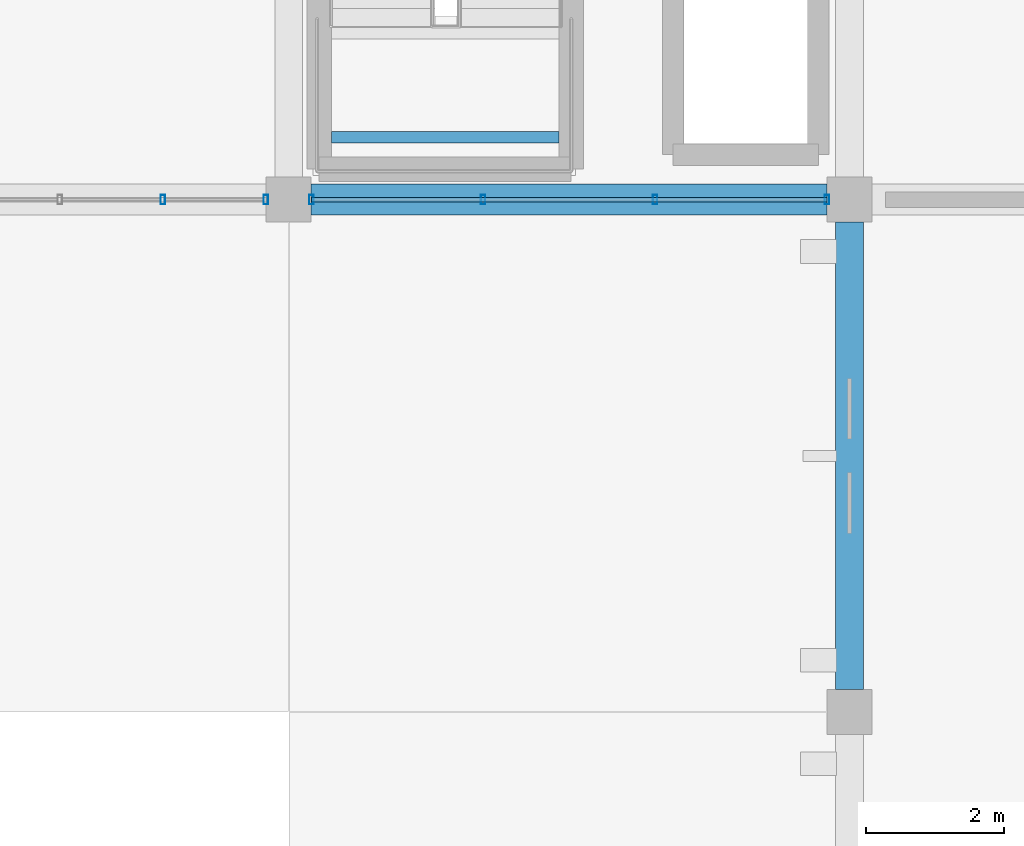
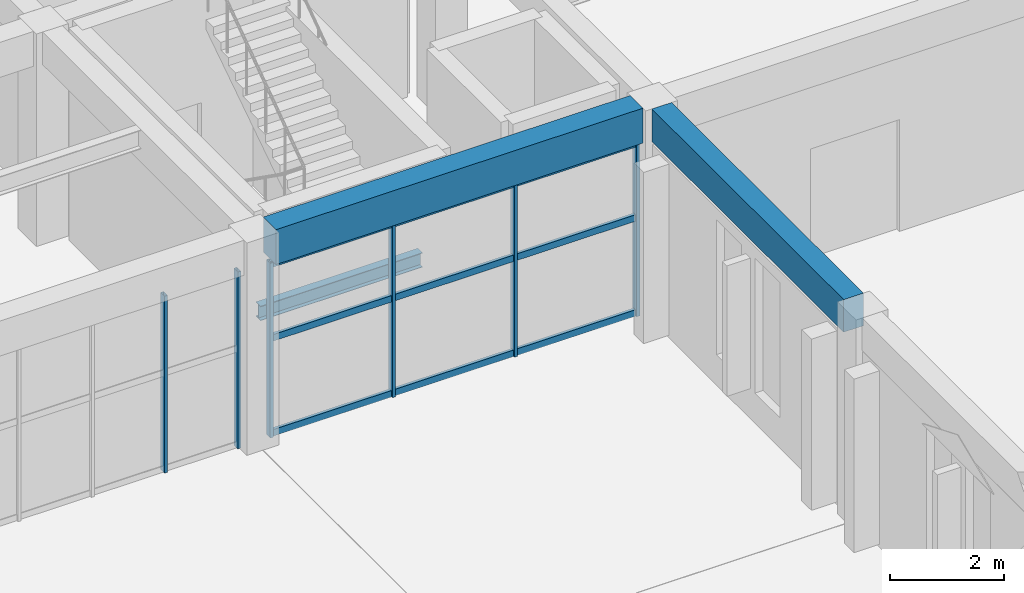
# One storey, part 43 of 161: 9 members, 3 beams, 2 elements without a shape of their own.
"""IFC4 building model written with IfcOpenShell, lengths in metres."""

from ifc_helpers import new_model, si_unit, direction, frame, origin, origin_2d, place, context, subcontext, project, spatial, rectangle, hollow_rectangle, i_section, extrude, material, material_profile, profile_set, type_object, element, aggregate, save


model = new_model("IFC4")

# Units and contexts
model_context = context("Model", 3, precision=1e-05, world=origin(), true_north=direction((0.0, 1.0)))
body_context = subcontext(model_context, "Body", "Model", "MODEL_VIEW")
ifc_project = project(units=[si_unit("LENGTHUNIT", "METRE"), si_unit("AREAUNIT", "SQUARE_METRE"), si_unit("VOLUMEUNIT", "CUBIC_METRE"), si_unit("PLANEANGLEUNIT", "RADIAN"), si_unit("MASSUNIT", "GRAM", prefix="KILO")], contexts=[model_context])

# Site, building, storey
site_placement = place(None, origin())
site = spatial("IfcSite", under=ifc_project, at=site_placement, CompositionType="ELEMENT")
building_placement = place(site_placement, origin())
building = spatial("IfcBuilding", under=site, at=building_placement, Name="Cimatlan Art Gallery", CompositionType="ELEMENT")
storey_placement = place(building_placement, frame((0.0, 0.0, 5.39990234375)))
storey = spatial("IfcBuildingStorey", under=building, at=storey_placement, Name="L01", CompositionType="ELEMENT", Elevation=5.39990234375)

# Beams
ifc_material_1 = material(Name="Concrete C40/50", Category="concrete")
ifc_material_profile_1 = material_profile(ifc_material_1, rectangle(XDim=0.39990234375, YDim=0.699951171875, at=origin_2d()), Name="RC400X700")
ifc_profile_set_1 = profile_set([ifc_material_profile_1], Name="Concrete C40/50")
beam_type_1 = type_object("IfcBeamType", Name="BM-RC-400X700", PredefinedType="BEAM", material=ifc_profile_set_1)
beam_1_placement = place(storey_placement, frame((123.5, 16.824951171875, 4.210205078125), z_axis=(0.0, 1.0, 0.0), x_axis=(-1.0, 0.0, 0.0)))
element("IfcBeam", 1, at=beam_1_placement, inside=storey, type_object=beam_type_1, Name="BM-Y-L01-15-02", PredefinedType="BEAM", context=body_context, shape_type="SweptSolid", body=[
    extrude(rectangle(XDim=0.39990234375, YDim=0.699951171875, at=origin_2d()), origin(), (0.0, 0.0, 1.0), 6.75),
])
ifc_material_profile_2 = material_profile(ifc_material_1, rectangle(XDim=0.449951171875, YDim=0.75, at=origin_2d()), Name="RC450X750")
ifc_profile_set_2 = profile_set([ifc_material_profile_2], Name="Concrete C40/50")
beam_type_2 = type_object("IfcBeamType", Name="BM-RC-450X750", PredefinedType="BEAM", material=ifc_profile_set_2)
beam_2_placement = place(storey_placement, frame((115.72509765625, 23.89990234375, 4.18505859375), z_axis=(1.0, 0.0, 0.0), x_axis=(0.0, 1.0, 0.0)))
element("IfcBeam", 2, at=beam_2_placement, inside=storey, type_object=beam_type_2, Name="BM-X-L01-14-03", PredefinedType="BEAM", context=body_context, shape_type="SweptSolid", body=[
    extrude(rectangle(XDim=0.449951171875, YDim=0.75, at=origin_2d()), origin(), (0.0, 0.0, 1.0), 7.449951171875),
])
ifc_material_2 = material(Name="Steel ASTM A992 Grade 50", Category="steel")
ifc_material_profile_3 = material_profile(ifc_material_2, i_section(OverallWidth=0.1650390625, OverallDepth=0.31005859375, WebThickness=0.005859375, FlangeThickness=0.009765625, at=origin_2d()), Name="W12X26")
ifc_profile_set_3 = profile_set([ifc_material_profile_3], Name="Steel ASTM A992 Grade 50")
beam_type_3 = type_object("IfcBeamType", Name="BM-STL-W12X26", PredefinedType="JOIST", material=ifc_profile_set_3)
beam_3_placement = place(storey_placement, frame((116.014892578125, 24.800048828125, 2.025146484375), z_axis=(1.0, 0.0, 0.0), x_axis=(0.0, 1.0, 0.0)))
element("IfcBeam", 3, at=beam_3_placement, inside=storey, type_object=beam_type_3, Name="BM-STR-C4-L01-LH1", PredefinedType="JOIST", context=body_context, shape_type="SweptSolid", body=[
    extrude(i_section(OverallWidth=0.1650390625, OverallDepth=0.31005859375, WebThickness=0.005859375, FlangeThickness=0.009765625, at=origin_2d()), origin(), (0.0, 0.0, 1.0), 3.2900390625),
])

# Curtain wall, members
ifc_material_3 = material(Name="Anodised bronze unitised curtain wall")
curtain_wall_type_1 = type_object("IfcCurtainWallType", Name="CW-V-07442X03795-B5", PredefinedType="NOTDEFINED", material=ifc_material_3)
curtain_wall_1_placement = place(storey_placement, origin())
curtain_wall_1 = element("IfcCurtainWall", 4, at=curtain_wall_1_placement, inside=storey, type_object=curtain_wall_type_1, Name="CW-L01-13-03-S", PredefinedType="NOTDEFINED")
ifc_material_4 = material(Name="Anodised bronze aluminium 6063-T6", Category="aluminium")
ifc_material_profile_4 = material_profile(ifc_material_4, hollow_rectangle(XDim=0.06494140625, YDim=0.139892578125, WallThickness=0.00390625, at=origin_2d()), Name="ALU65X140X4")
ifc_profile_set_4 = profile_set([ifc_material_profile_4], Name="Anodised bronze aluminium 6063-T6")
member_type_1 = type_object("IfcMemberType", Name="CW-MUL-140", PredefinedType="MULLION", material=ifc_profile_set_4)
member_1_placement = place(storey_placement, frame((115.071044921875, 23.89990234375, 0.0), z_axis=(0.0, 0.0, 1.0), x_axis=(1.0, 0.0, 0.0)))
member_1 = element("IfcMember", 5, at=member_1_placement, type_object=member_type_1, Name="CW-L01-13-03-S-M1", PredefinedType="MULLION", context=body_context, shape_type="SweptSolid", body=[
    extrude(hollow_rectangle(XDim=0.06494140625, YDim=0.139892578125, WallThickness=0.00390625, at=origin_2d()), origin(), (0.0, 0.0, 1.0), 3.795166015625),
])
member_2_placement = place(storey_placement, frame((113.58251953125, 23.89990234375, 0.0), z_axis=(0.0, 0.0, 1.0), x_axis=(1.0, 0.0, 0.0)))
member_2 = element("IfcMember", 6, at=member_2_placement, type_object=member_type_1, Name="CW-L01-13-03-S-M2", PredefinedType="MULLION", context=body_context, shape_type="SweptSolid", body=[
    extrude(hollow_rectangle(XDim=0.06494140625, YDim=0.139892578125, WallThickness=0.00390625, at=origin_2d()), origin(), (0.0, 0.0, 1.0), 3.795166015625),
])
aggregate(curtain_wall_1, [member_1, member_2])

curtain_wall_type_2 = type_object("IfcCurtainWallType", Name="CW-V-07442X03750-B3", PredefinedType="NOTDEFINED", material=ifc_material_3)
curtain_wall_2_placement = place(storey_placement, origin())
curtain_wall_2 = element("IfcCurtainWall", 7, at=curtain_wall_2_placement, inside=storey, type_object=curtain_wall_type_2, Name="CW-L01-14-03-S", PredefinedType="NOTDEFINED")
member_3_placement = place(storey_placement, frame((123.1708984375, 23.89990234375, 0.0), z_axis=(0.0, 0.0, 1.0), x_axis=(1.0, 0.0, 0.0)))
member_3 = element("IfcMember", 8, at=member_3_placement, type_object=member_type_1, Name="CW-L01-14-03-S-M1", PredefinedType="MULLION", context=body_context, shape_type="SweptSolid", body=[
    extrude(hollow_rectangle(XDim=0.06494140625, YDim=0.139892578125, WallThickness=0.00390625, at=origin_2d()), origin(), (0.0, 0.0, 1.0), 3.75),
])
member_4_placement = place(storey_placement, frame((120.6904296875, 23.89990234375, 0.0), z_axis=(0.0, 0.0, 1.0), x_axis=(1.0, 0.0, 0.0)))
member_4 = element("IfcMember", 9, at=member_4_placement, type_object=member_type_1, Name="CW-L01-14-03-S-M2", PredefinedType="MULLION", context=body_context, shape_type="SweptSolid", body=[
    extrude(hollow_rectangle(XDim=0.06494140625, YDim=0.139892578125, WallThickness=0.00390625, at=origin_2d()), origin(), (0.0, 0.0, 1.0), 3.75),
])
member_5_placement = place(storey_placement, frame((118.209716796875, 23.89990234375, 0.0), z_axis=(0.0, 0.0, 1.0), x_axis=(1.0, 0.0, 0.0)))
member_5 = element("IfcMember", 10, at=member_5_placement, type_object=member_type_1, Name="CW-L01-14-03-S-M3", PredefinedType="MULLION", context=body_context, shape_type="SweptSolid", body=[
    extrude(hollow_rectangle(XDim=0.06494140625, YDim=0.139892578125, WallThickness=0.00390625, at=origin_2d()), origin(), (0.0, 0.0, 1.0), 3.75),
])
member_6_placement = place(storey_placement, frame((115.72900390625, 23.89990234375, 0.0), z_axis=(0.0, 0.0, 1.0), x_axis=(1.0, 0.0, 0.0)))
member_6 = element("IfcMember", 11, at=member_6_placement, type_object=member_type_1, Name="CW-L01-14-03-S-M4", PredefinedType="MULLION", context=body_context, shape_type="SweptSolid", body=[
    extrude(hollow_rectangle(XDim=0.06494140625, YDim=0.139892578125, WallThickness=0.00390625, at=origin_2d()), origin(), (0.0, 0.0, 1.0), 3.75),
])
ifc_material_profile_5 = material_profile(ifc_material_4, hollow_rectangle(XDim=0.06494140625, YDim=0.139892578125, WallThickness=0.00390625, at=origin_2d()), Name="ALU65X140X4")
ifc_profile_set_5 = profile_set([ifc_material_profile_5], Name="Anodised bronze aluminium 6063-T6")
member_type_2 = type_object("IfcMemberType", Name="CW-TRN-140", PredefinedType="USERDEFINED", material=ifc_profile_set_5)
member_7_placement = place(storey_placement, frame((123.1708984375, 23.89990234375, 0.06005859375), z_axis=(-1.0, 0.0, 0.0), x_axis=(0.0, -1.0, 0.0)))
member_7 = element("IfcMember", 12, at=member_7_placement, type_object=member_type_2, Name="CW-L01-14-03-S-T1", ObjectType="TRANSOM", PredefinedType="USERDEFINED", context=body_context, shape_type="SweptSolid", body=[
    extrude(hollow_rectangle(XDim=0.06494140625, YDim=0.139892578125, WallThickness=0.00390625, at=origin_2d()), origin(), (0.0, 0.0, 1.0), 7.44189453125),
])
member_8_placement = place(storey_placement, frame((123.1708984375, 23.89990234375, 2.10009765625), z_axis=(-1.0, 0.0, 0.0), x_axis=(0.0, -1.0, 0.0)))
member_8 = element("IfcMember", 13, at=member_8_placement, type_object=member_type_2, Name="CW-L01-14-03-S-T2", ObjectType="TRANSOM", PredefinedType="USERDEFINED", context=body_context, shape_type="SweptSolid", body=[
    extrude(hollow_rectangle(XDim=0.06494140625, YDim=0.139892578125, WallThickness=0.00390625, at=origin_2d()), origin(), (0.0, 0.0, 1.0), 7.44189453125),
])
member_9_placement = place(storey_placement, frame((123.1708984375, 23.89990234375, 3.690185546875), z_axis=(-1.0, 0.0, 0.0), x_axis=(0.0, -1.0, 0.0)))
member_9 = element("IfcMember", 14, at=member_9_placement, type_object=member_type_2, Name="CW-L01-14-03-S-T3", ObjectType="TRANSOM", PredefinedType="USERDEFINED", context=body_context, shape_type="SweptSolid", body=[
    extrude(hollow_rectangle(XDim=0.06494140625, YDim=0.139892578125, WallThickness=0.00390625, at=origin_2d()), origin(), (0.0, 0.0, 1.0), 7.44189453125),
])
aggregate(curtain_wall_2, [member_3, member_4, member_5, member_6, member_7, member_8, member_9])

save(model, "model.ifc")
